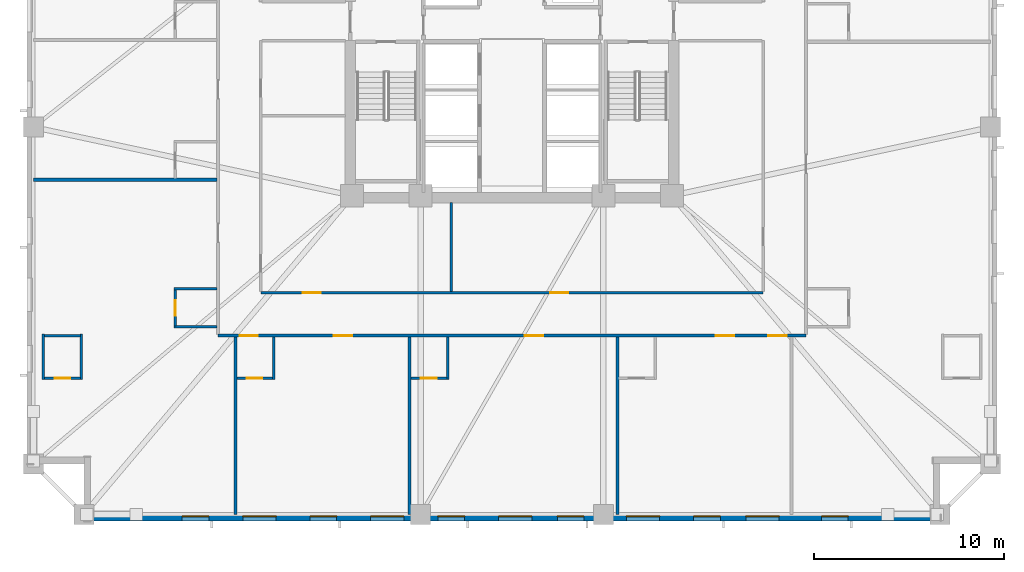
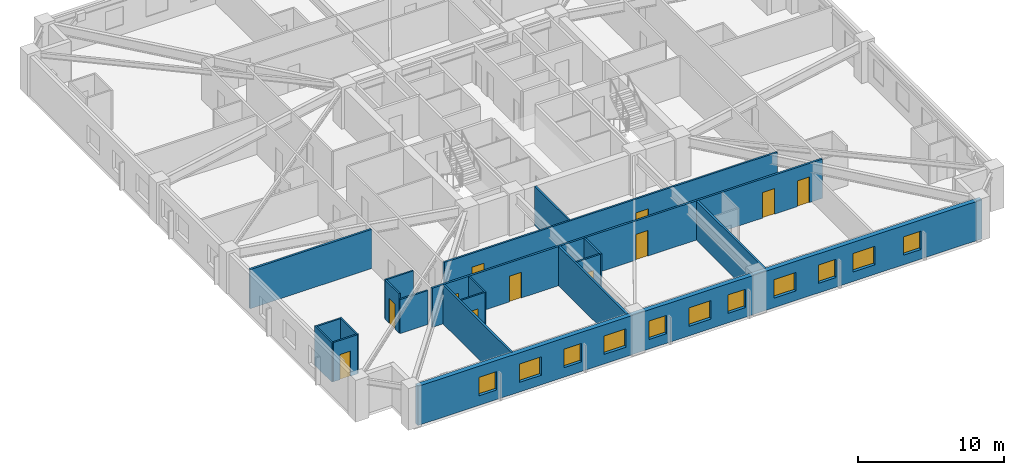
# One storey, part 2 of 11: 19 walls, 11 doors, 11 windows, 22 openings.
"""IFC4 building model written with IfcOpenShell, lengths in metres."""

import ifcopenshell
import ifcopenshell.guid

model = None  # the IFC model being written
_history = None  # IfcOwnerHistory: only IFC2X3 demands one
_inside = {}  # id of a spatial element -> (the spatial element, [elements in it])
_under = {}  # id of a project, library or spatial element -> (it, [spatial elements below it])
_declared = {}  # id of a project -> (the project, [libraries it declares])
_typed = {}  # id of a type object -> (the type object, [elements of that type])
_made_of = {}  # id of a material, layer set ... -> (it, [elements and type objects made of it])


def new_model(schema):
    """Start an empty IFC model of exactly this schema.

    Asked for "IFC4X3", IfcOpenShell would pick the latest addendum, in which some entities
    have other attributes; the version numbers below select the first issue.
    IFC2X3 requires an IfcOwnerHistory on every rooted entity: one is made here for all.
    """
    global model, _history
    if schema == "IFC4X3":
        model = ifcopenshell.file(schema_version=(4, 3, 0, 0))
    else:
        model = ifcopenshell.file(schema=schema)
    _inside.clear()
    _under.clear()
    _declared.clear()
    _typed.clear()
    _made_of.clear()
    _history = None
    if model.schema == "IFC2X3":
        org = make("IfcOrganization", Name="unknown")
        user = make(
            "IfcPersonAndOrganization",
            ThePerson=make("IfcPerson", FamilyName="unknown"),
            TheOrganization=org,
        )
        app = make(
            "IfcApplication",
            ApplicationDeveloper=org,
            Version="unknown",
            ApplicationFullName="unknown",
            ApplicationIdentifier="unknown",
        )
        _history = make(
            "IfcOwnerHistory",
            OwningUser=user,
            OwningApplication=app,
            ChangeAction="ADDED",
            CreationDate=0,
        )
    return model


def make(cls, **values):
    """One entity of the class cls with the attributes given. An attribute that is None is left unset."""
    return model.create_entity(
        cls, **{name: value for name, value in values.items() if value is not None}
    )


def rooted(cls, **values):
    """An entity with a GlobalId (a new one), such as an element, a storey or a relation."""
    return make(cls, GlobalId=ifcopenshell.guid.new(), OwnerHistory=_history, **values)


def si_unit(unit_type, name, prefix=None):
    """IfcSIUnit, for example si_unit("LENGTHUNIT", "METRE", prefix="MILLI")."""
    return make("IfcSIUnit", UnitType=unit_type, Prefix=prefix, Name=name)


def assignment(units):
    """IfcUnitAssignment: the units of a project."""
    return None if units is None else make("IfcUnitAssignment", Units=units)


def point(xyz):
    """IfcCartesianPoint."""
    return None if xyz is None else make("IfcCartesianPoint", Coordinates=xyz)


def direction(xyz):
    """IfcDirection."""
    return None if xyz is None else make("IfcDirection", DirectionRatios=xyz)


def frame(location, z_axis=None, x_axis=None):
    """IfcAxis2Placement3D, a coordinate frame: its origin and axes. An axis left out is left unset."""
    return make(
        "IfcAxis2Placement3D",
        Location=point(location),
        Axis=direction(z_axis),
        RefDirection=direction(x_axis),
    )


def frame_2d(location, x_axis=None):
    """IfcAxis2Placement2D, a coordinate frame in the plane: its origin and x axis."""
    return make(
        "IfcAxis2Placement2D", Location=point(location), RefDirection=direction(x_axis)
    )


def origin():
    """The frame at (0, 0, 0) with its axes left unset."""
    return frame((0.0, 0.0, 0.0))


def place(relative_to, where):
    """IfcLocalPlacement: puts the frame where relative to a parent placement (None: the world)."""
    return make(
        "IfcLocalPlacement", PlacementRelTo=relative_to, RelativePlacement=where
    )


def context(
    kind, dimensions, precision=None, world=None, true_north=None, identifier=None
):
    """IfcGeometricRepresentationContext, for example the 3D "Model" context."""
    return make(
        "IfcGeometricRepresentationContext",
        ContextIdentifier=identifier,
        ContextType=kind,
        CoordinateSpaceDimension=dimensions,
        Precision=precision,
        WorldCoordinateSystem=world,
        TrueNorth=true_north,
    )


def subcontext(parent, identifier, kind, view, scale=None):
    """IfcGeometricRepresentationSubContext, for example "Body" below "Model"."""
    return make(
        "IfcGeometricRepresentationSubContext",
        ContextIdentifier=identifier,
        ContextType=kind,
        ParentContext=parent,
        TargetScale=scale,
        TargetView=view,
    )


def project(units=None, contexts=None):
    """IfcProject with its units and contexts."""
    return rooted(
        "IfcProject",
        Name="project",
        RepresentationContexts=contexts,
        UnitsInContext=assignment(units),
    )


def spatial(cls, under=None, at=None, **own):
    """A site, building, storey or space (cls), placed at a placement, below another one or the project."""
    s = rooted(cls, ObjectPlacement=at, **own)
    if under is not None:
        _under.setdefault(under.id(), (under, []))[1].append(s)
    return s


def profile(cls, at=None, kind="AREA", **sizes):
    """A parametric profile (cls). Its sizes go by their IFC names, for example OverallWidth=200.0."""
    return make(cls, ProfileType=kind, Position=at, **sizes)


def rectangle(**sizes):
    """IfcRectangleProfileDef."""
    return profile("IfcRectangleProfileDef", **sizes)


def extrude(swept, where, along, depth):
    """IfcExtrudedAreaSolid: the profile swept, set in the frame where, extruded along a direction by depth."""
    return make(
        "IfcExtrudedAreaSolid",
        SweptArea=swept,
        Position=where,
        ExtrudedDirection=direction(along),
        Depth=depth,
    )


def shape(context_of_items, identifier, shape_type, items):
    """IfcShapeRepresentation: the items that make up one representation, for example the "Body"."""
    return make(
        "IfcShapeRepresentation",
        ContextOfItems=context_of_items,
        RepresentationIdentifier=identifier,
        RepresentationType=shape_type,
        Items=items,
    )


def material(Name=None, Category=None):
    """IfcMaterial."""
    return make("IfcMaterial", Name=Name, Category=Category)


def layer(
    of_material, thickness, ventilated=None, Name=None, Category=None, Priority=None
):
    """IfcMaterialLayer: one layer of a wall or slab, of a material (None: an air gap)."""
    return make(
        "IfcMaterialLayer",
        Material=of_material,
        LayerThickness=thickness,
        IsVentilated=ventilated,
        Name=Name,
        Category=Category,
        Priority=Priority,
    )


def layer_set(layers, Name=None):
    """IfcMaterialLayerSet."""
    return make("IfcMaterialLayerSet", MaterialLayers=layers, LayerSetName=Name)


def made_of(thing, what):
    """Note that an element or type object is made of a material, layer set ...; save() writes the relation."""
    if what is not None:
        _made_of.setdefault(what.id(), (what, []))[1].append(thing)
    return thing


def type_object(cls, material=None, **own):
    """A type object (cls), such as IfcWallType, which elements share."""
    return made_of(rooted(cls, **own), material)


def element(
    cls,
    number,
    at=None,
    inside=None,
    cuts=None,
    type_object=None,
    material=None,
    context=None,
    identifier="Body",
    shape_type=None,
    held_by="IfcProductDefinitionShape",
    body=None,
    shapes=None,
    **own,
):
    """One element of the class cls, such as IfcWall. Its Tag is "e" and its number.

    at: its placement. inside: the storey or other place that contains it. cuts: it is an
    opening in that element (IfcRelVoidsElement). A single representation is given by context,
    identifier, shape_type and body (its items); several are given by shapes. held_by: the class
    of the entity that holds the representations. save() writes the other relations.
    """
    e = rooted(cls, Tag="e%d" % number, ObjectPlacement=at, **own)
    if body is not None:
        shapes = [shape(context, identifier, shape_type, body)]
    if shapes is not None:
        e.Representation = make(held_by, Representations=shapes)
    if inside is not None:
        _inside.setdefault(inside.id(), (inside, []))[1].append(e)
    if cuts is not None:
        rooted(
            "IfcRelVoidsElement", RelatingBuildingElement=cuts, RelatedOpeningElement=e
        )
    if type_object is not None:
        _typed.setdefault(type_object.id(), (type_object, []))[1].append(e)
    return made_of(e, material)


def fill(opening, filler):
    """IfcRelFillsElement: the door or window that sits in an opening."""
    return rooted(
        "IfcRelFillsElement",
        RelatingOpeningElement=opening,
        RelatedBuildingElement=filler,
    )


def aggregate(whole, parts):
    """IfcRelAggregates: a whole, such as a stair, and the parts it consists of."""
    return rooted("IfcRelAggregates", RelatingObject=whole, RelatedObjects=parts)


def save(model, path):
    """Write the relations noted so far, then the file.

    IfcRelAggregates (storeys below a building ...), IfcRelContainedInSpatialStructure (elements
    in a storey), IfcRelDefinesByType, IfcRelAssociatesMaterial and IfcRelDeclares: one each for
    every whole, place, type object, material and project.
    """
    for whole, parts in _under.values():
        aggregate(whole, parts)
    for where, things in _inside.values():
        rooted(
            "IfcRelContainedInSpatialStructure",
            RelatedElements=things,
            RelatingStructure=where,
        )
    for kind, things in _typed.values():
        rooted("IfcRelDefinesByType", RelatedObjects=things, RelatingType=kind)
    for what, things in _made_of.values():
        rooted("IfcRelAssociatesMaterial", RelatedObjects=things, RelatingMaterial=what)
    for by, libraries in _declared.values():
        rooted("IfcRelDeclares", RelatingContext=by, RelatedDefinitions=libraries)
    model.write(path)


model = new_model("IFC4")

# Units and contexts
model_context = context("Model", 3, precision=1e-05, world=origin(), true_north=direction((0.0, 1.0)))
body_context = subcontext(model_context, "Body", "Model", "MODEL_VIEW")
ifc_project = project(units=[si_unit("LENGTHUNIT", "METRE"), si_unit("AREAUNIT", "SQUARE_METRE"), si_unit("VOLUMEUNIT", "CUBIC_METRE"), si_unit("PLANEANGLEUNIT", "RADIAN"), si_unit("MASSUNIT", "GRAM", prefix="KILO")], contexts=[model_context])

# Site, building, storey
site_placement = place(None, origin())
site = spatial("IfcSite", under=ifc_project, at=site_placement, CompositionType="ELEMENT")
building_placement = place(site_placement, origin())
building = spatial("IfcBuilding", under=site, at=building_placement, Name="Cairnveth Concourse Tower", CompositionType="ELEMENT")
storey_placement = place(building_placement, frame((0.0, 0.0, 76.0)))
storey = spatial("IfcBuildingStorey", under=building, at=storey_placement, Name="L20", CompositionType="ELEMENT", Elevation=76.0)

# Wall, openings, doors
ifc_material_1 = material(Name="Gypsum Plasterboard Partition", Category="gypsum")
ifc_layer_1 = layer(ifc_material_1, 0.159912109375)
ifc_layer_set_1 = layer_set([ifc_layer_1], Name="Gypsum Plasterboard Partition")
wall_type_1 = type_object("IfcWallType", Name="ACOUSTIC PARTY WALL 180", PredefinedType="PARTITIONING", material=ifc_layer_set_1)
wall_1_placement = place(storey_placement, frame((36.550048828125, 23.25, 0.0), z_axis=(0.0, 0.0, 1.0), x_axis=(1.0, 0.0, 0.0)))
wall_1 = element("IfcWall", 1, at=wall_1_placement, inside=storey, type_object=wall_type_1, Name="Interior Wall IW-L20-038", PredefinedType="PARTITIONING", context=body_context, shape_type="SweptSolid", body=[
    extrude(rectangle(XDim=30.89990234375, YDim=0.159912109375, at=frame_2d((15.449951171875, 0.0))), origin(), (0.0, 0.0, 1.0), 3.280029296875),
])
opening_1_placement = place(wall_1_placement, frame((1.1298828125, 0.0, 0.0)))
opening_1 = element("IfcOpeningElement", 2, at=opening_1_placement, cuts=wall_1, Name="Opening ID09", PredefinedType="OPENING", context=body_context, shape_type="SweptSolid", body=[
    extrude(rectangle(XDim=0.9599609375, YDim=2.14990234375, at=frame_2d((0.47998046875, 1.074951171875))), frame((0.0, 0.08984375, 0.0), z_axis=(0.0, -1.0, 0.0), x_axis=(1.0, 0.0, 0.0)), (0.0, 0.0, 1.0), 0.179931640625),
])
opening_2_placement = place(wall_1_placement, frame((6.093017578125, 0.0, 0.0)))
opening_2 = element("IfcOpeningElement", 3, at=opening_2_placement, cuts=wall_1, Name="Opening ID09", PredefinedType="OPENING", context=body_context, shape_type="SweptSolid", body=[
    extrude(rectangle(XDim=0.9599609375, YDim=2.14990234375, at=frame_2d((0.47998046875, 1.074951171875))), frame((0.0, 0.08984375, 0.0), z_axis=(0.0, -1.0, 0.0), x_axis=(1.0, 0.0, 0.0)), (0.0, 0.0, 1.0), 0.179931640625),
])
opening_3_placement = place(wall_1_placement, frame((16.125, 0.0, 0.0)))
opening_3 = element("IfcOpeningElement", 4, at=opening_3_placement, cuts=wall_1, Name="Opening ID09", PredefinedType="OPENING", context=body_context, shape_type="SweptSolid", body=[
    extrude(rectangle(XDim=0.9599609375, YDim=2.14990234375, at=frame_2d((0.47998046875, 1.074951171875))), frame((0.0, 0.08984375, 0.0), z_axis=(0.0, -1.0, 0.0), x_axis=(1.0, 0.0, 0.0)), (0.0, 0.0, 1.0), 0.179931640625),
])
opening_4_placement = place(wall_1_placement, frame((26.156982421875, 0.0, 0.0)))
opening_4 = element("IfcOpeningElement", 5, at=opening_4_placement, cuts=wall_1, Name="Opening ID09", PredefinedType="OPENING", context=body_context, shape_type="SweptSolid", body=[
    extrude(rectangle(XDim=0.9599609375, YDim=2.14990234375, at=frame_2d((0.47998046875, 1.074951171875))), frame((0.0, 0.08984375, 0.0), z_axis=(0.0, -1.0, 0.0), x_axis=(1.0, 0.0, 0.0)), (0.0, 0.0, 1.0), 0.179931640625),
])
opening_5_placement = place(wall_1_placement, frame((28.919921875, 0.0, 0.0)))
opening_5 = element("IfcOpeningElement", 6, at=opening_5_placement, cuts=wall_1, Name="Opening ID09", PredefinedType="OPENING", context=body_context, shape_type="SweptSolid", body=[
    extrude(rectangle(XDim=0.9599609375, YDim=2.14990234375, at=frame_2d((0.47998046875, 1.074951171875))), frame((0.0, 0.08984375, 0.0), z_axis=(0.0, -1.0, 0.0), x_axis=(1.0, 0.0, 0.0)), (0.0, 0.0, 1.0), 0.179931640625),
])
ifc_material_2 = material(Name="Solid Core Hardwood Timber Leaf", Category="wood")
door_type_1 = type_object("IfcDoorType", Name="HOTEL ENTRANCE DOOR 960X2150", OperationType="NOTDEFINED", PredefinedType="DOOR", material=ifc_material_2)
door_1_placement = place(opening_1_placement, origin())
door_1 = element("IfcDoor", 7, at=door_1_placement, inside=storey, type_object=door_type_1, Name="Hotel Room Door L20-S1", OperationType="SINGLE_SWING_RIGHT", OverallHeight=2.14990234375, OverallWidth=0.9599609375, PredefinedType="DOOR", context=body_context, shape_type="SweptSolid", body=[
    extrude(rectangle(XDim=0.9599609375, YDim=2.14990234375, at=frame_2d((0.47998046875, 1.074951171875))), frame((0.0, 0.02490234375, 0.0), z_axis=(0.0, -1.0, 0.0), x_axis=(1.0, 0.0, 0.0)), (0.0, 0.0, 1.0), 0.050048828125),
])
fill(opening_1, door_1)
door_2_placement = place(opening_2_placement, origin())
door_2 = element("IfcDoor", 8, at=door_2_placement, inside=storey, type_object=door_type_1, Name="Hotel Room Door L20-S2", OperationType="SINGLE_SWING_RIGHT", OverallHeight=2.14990234375, OverallWidth=0.9599609375, PredefinedType="DOOR", context=body_context, shape_type="SweptSolid", body=[
    extrude(rectangle(XDim=0.9599609375, YDim=2.14990234375, at=frame_2d((0.47998046875, 1.074951171875))), frame((0.0, 0.02490234375, 0.0), z_axis=(0.0, -1.0, 0.0), x_axis=(1.0, 0.0, 0.0)), (0.0, 0.0, 1.0), 0.050048828125),
])
fill(opening_2, door_2)
door_3_placement = place(opening_3_placement, origin())
door_3 = element("IfcDoor", 9, at=door_3_placement, inside=storey, type_object=door_type_1, Name="Hotel Room Door L20-S3", OperationType="SINGLE_SWING_RIGHT", OverallHeight=2.14990234375, OverallWidth=0.9599609375, PredefinedType="DOOR", context=body_context, shape_type="SweptSolid", body=[
    extrude(rectangle(XDim=0.9599609375, YDim=2.14990234375, at=frame_2d((0.47998046875, 1.074951171875))), frame((0.0, 0.02490234375, 0.0), z_axis=(0.0, -1.0, 0.0), x_axis=(1.0, 0.0, 0.0)), (0.0, 0.0, 1.0), 0.050048828125),
])
fill(opening_3, door_3)
door_4_placement = place(opening_4_placement, origin())
door_4 = element("IfcDoor", 10, at=door_4_placement, inside=storey, type_object=door_type_1, Name="Hotel Room Door L20-S4", OperationType="SINGLE_SWING_RIGHT", OverallHeight=2.14990234375, OverallWidth=0.9599609375, PredefinedType="DOOR", context=body_context, shape_type="SweptSolid", body=[
    extrude(rectangle(XDim=0.9599609375, YDim=2.14990234375, at=frame_2d((0.47998046875, 1.074951171875))), frame((0.0, 0.02490234375, 0.0), z_axis=(0.0, -1.0, 0.0), x_axis=(1.0, 0.0, 0.0)), (0.0, 0.0, 1.0), 0.050048828125),
])
fill(opening_4, door_4)
door_5_placement = place(opening_5_placement, origin())
door_5 = element("IfcDoor", 11, at=door_5_placement, inside=storey, type_object=door_type_1, Name="Hotel Room Door L20-S5", OperationType="SINGLE_SWING_RIGHT", OverallHeight=2.14990234375, OverallWidth=0.9599609375, PredefinedType="DOOR", context=body_context, shape_type="SweptSolid", body=[
    extrude(rectangle(XDim=0.9599609375, YDim=2.14990234375, at=frame_2d((0.47998046875, 1.074951171875))), frame((0.0, 0.02490234375, 0.0), z_axis=(0.0, -1.0, 0.0), x_axis=(1.0, 0.0, 0.0)), (0.0, 0.0, 1.0), 0.050048828125),
])
fill(opening_5, door_5)

# Walls
for number, where, z_axis, x_axis, name in (
    (12, (37.471923828125, 13.844970703125, 0.0), (0.0, 0.0, 1.0), (0.0, 1.0, 0.0), "Interior Wall IW-L20-059"),
    (13, (46.6240234375, 13.844970703125, 0.0), (0.0, 0.0, 1.0), (0.0, 1.0, 0.0), "Interior Wall IW-L20-062"),
    (14, (57.535888671875, 13.844970703125, 0.0), (0.0, 0.0, 1.0), (0.0, 1.0, 0.0), "Interior Wall IW-L20-065"),
):
    element("IfcWall", number, at=place(storey_placement, frame(where, z_axis=z_axis, x_axis=x_axis)), inside=storey, type_object=wall_type_1, Name=name, PredefinedType="PARTITIONING", context=body_context, shape_type="SweptSolid", body=[
        extrude(rectangle(XDim=9.340087890625, YDim=0.159912109375, at=frame_2d((4.669921875, 0.0))), origin(), (0.0, 0.0, 1.0), 3.280029296875),
    ])
wall_2_placement = place(storey_placement, frame((26.844970703125, 31.43701171875, 0.0), z_axis=(0.0, 0.0, 1.0), x_axis=(1.0, 0.0, 0.0)))
element("IfcWall", 15, at=wall_2_placement, inside=storey, type_object=wall_type_1, Name="Interior Wall IW-L20-086", PredefinedType="PARTITIONING", context=body_context, shape_type="SweptSolid", body=[
    extrude(rectangle(XDim=9.64013671875, YDim=0.159912109375, at=frame_2d((4.820068359375, 0.0))), origin(), (0.0, 0.0, 1.0), 3.280029296875),
])

# Wall, openings, doors
ifc_layer_2 = layer(ifc_material_1, 0.139892578125)
ifc_layer_set_2 = layer_set([ifc_layer_2], Name="Gypsum Plasterboard Partition")
wall_type_2 = type_object("IfcWallType", Name="GYPSUM STUD PARTITION 140", PredefinedType="PARTITIONING", material=ifc_layer_set_2)
wall_3_placement = place(storey_placement, frame((38.800048828125, 25.5, 0.0), z_axis=(0.0, 0.0, 1.0), x_axis=(1.0, 0.0, 0.0)))
wall_3 = element("IfcWall", 16, at=wall_3_placement, inside=storey, type_object=wall_type_2, Name="Interior Wall IW-L20-042", PredefinedType="PARTITIONING", context=body_context, shape_type="SweptSolid", body=[
    extrude(rectangle(XDim=26.39990234375, YDim=0.139892578125, at=frame_2d((13.199951171875, 0.0))), origin(), (0.0, 0.0, 1.0), 3.280029296875),
])
opening_6_placement = place(wall_3_placement, frame((2.199951171875, 0.0, 0.0)))
opening_6 = element("IfcOpeningElement", 17, at=opening_6_placement, cuts=wall_3, Name="Opening ID11", PredefinedType="OPENING", context=body_context, shape_type="SweptSolid", body=[
    extrude(rectangle(XDim=0.9599609375, YDim=2.1201171875, at=frame_2d((0.47998046875, 1.06005859375))), frame((0.0, 0.079833984375, 0.0), z_axis=(0.0, -1.0, 0.0), x_axis=(1.0, 0.0, 0.0)), (0.0, 0.0, 1.0), 0.159912109375),
])
opening_7_placement = place(wall_3_placement, frame((15.199951171875, 0.0, 0.0)))
opening_7 = element("IfcOpeningElement", 18, at=opening_7_placement, cuts=wall_3, Name="Opening ID11", PredefinedType="OPENING", context=body_context, shape_type="SweptSolid", body=[
    extrude(rectangle(XDim=0.9599609375, YDim=2.1201171875, at=frame_2d((0.47998046875, 1.06005859375))), frame((0.0, 0.079833984375, 0.0), z_axis=(0.0, -1.0, 0.0), x_axis=(1.0, 0.0, 0.0)), (0.0, 0.0, 1.0), 0.159912109375),
])
door_type_2 = type_object("IfcDoorType", Name="INTERIOR SINGLE DOOR 960X2150", OperationType="NOTDEFINED", PredefinedType="DOOR", material=ifc_material_2)
door_6_placement = place(opening_6_placement, origin())
door_6 = element("IfcDoor", 19, at=door_6_placement, inside=storey, type_object=door_type_2, Name="Interior Door DR-L20-014", OperationType="SINGLE_SWING_RIGHT", OverallHeight=2.1201171875, OverallWidth=0.9599609375, PredefinedType="DOOR", context=body_context, shape_type="SweptSolid", body=[
    extrude(rectangle(XDim=0.9599609375, YDim=2.1201171875, at=frame_2d((0.47998046875, 1.06005859375))), frame((0.0, 0.02490234375, 0.0), z_axis=(0.0, -1.0, 0.0), x_axis=(1.0, 0.0, 0.0)), (0.0, 0.0, 1.0), 0.050048828125),
])
fill(opening_6, door_6)
door_7_placement = place(opening_7_placement, origin())
door_7 = element("IfcDoor", 20, at=door_7_placement, inside=storey, type_object=door_type_2, Name="Interior Door DR-L20-015", OperationType="SINGLE_SWING_LEFT", OverallHeight=2.1201171875, OverallWidth=0.9599609375, PredefinedType="DOOR", context=body_context, shape_type="SweptSolid", body=[
    extrude(rectangle(XDim=0.9599609375, YDim=2.1201171875, at=frame_2d((0.47998046875, 1.06005859375))), frame((0.0, 0.02490234375, 0.0), z_axis=(0.0, -1.0, 0.0), x_axis=(1.0, 0.0, 0.0)), (0.0, 0.0, 1.0), 0.050048828125),
])
fill(opening_7, door_7)

# Walls
wall_4_placement = place(storey_placement, frame((48.800048828125, 25.554931640625, 0.0), z_axis=(0.0, 0.0, 1.0), x_axis=(0.0, 1.0, 0.0)))
element("IfcWall", 21, at=wall_4_placement, inside=storey, type_object=wall_type_2, Name="Interior Wall IW-L20-052", PredefinedType="PARTITIONING", context=body_context, shape_type="SweptSolid", body=[
    extrude(rectangle(XDim=4.68505859375, YDim=0.139892578125, at=frame_2d((2.342529296875, 0.0))), origin(), (0.0, 0.0, 1.0), 3.280029296875),
])
ifc_layer_3 = layer(ifc_material_1, 0.1298828125)
ifc_layer_set_3 = layer_set([ifc_layer_3], Name="Gypsum Plasterboard Partition")
wall_type_3 = type_object("IfcWallType", Name="WET AREA PARTITION 140", PredefinedType="PLUMBINGWALL", material=ifc_layer_set_3)
for number, where, z_axis, x_axis, name in (
    (22, (27.3701171875, 20.949951171875, 0.0), (0.0, 0.0, 1.0), (0.0, 1.0, 0.0), "Interior Wall IW-L20-055"),
    (23, (29.3701171875, 20.949951171875, 0.0), (0.0, 0.0, 1.0), (0.0, 1.0, 0.0), "Interior Wall IW-L20-056"),
):
    element("IfcWall", number, at=place(storey_placement, frame(where, z_axis=z_axis, x_axis=x_axis)), inside=storey, type_object=wall_type_3, Name=name, PredefinedType="PLUMBINGWALL", context=body_context, shape_type="SweptSolid", body=[
        extrude(rectangle(XDim=2.380126953125, YDim=0.1298828125, at=frame_2d((1.18994140625, 0.0))), origin(), (0.0, 0.0, 1.0), 3.280029296875),
    ])

# Wall, opening, door
wall_5_placement = place(storey_placement, frame((27.419921875, 21.0, 0.0), z_axis=(0.0, 0.0, 1.0), x_axis=(1.0, 0.0, 0.0)))
wall_5 = element("IfcWall", 24, at=wall_5_placement, inside=storey, type_object=wall_type_3, Name="Interior Wall IW-L20-057", PredefinedType="PLUMBINGWALL", context=body_context, shape_type="SweptSolid", body=[
    extrude(rectangle(XDim=1.900146484375, YDim=0.1298828125, at=frame_2d((0.9501953125, 0.0))), origin(), (0.0, 0.0, 1.0), 3.280029296875),
])
opening_8_placement = place(wall_5_placement, frame((0.5400390625, 0.0, 0.0)))
opening_8 = element("IfcOpeningElement", 25, at=opening_8_placement, cuts=wall_5, Name="Opening ID22", PredefinedType="OPENING", context=body_context, shape_type="SweptSolid", body=[
    extrude(rectangle(XDim=0.820068359375, YDim=2.10009765625, at=frame_2d((0.41015625, 1.050048828125))), frame((0.0, 0.074951171875, 0.0), z_axis=(0.0, -1.0, 0.0), x_axis=(1.0, 0.0, 0.0)), (0.0, 0.0, 1.0), 0.14990234375),
])
door_type_3 = type_object("IfcDoorType", Name="INTERIOR WC DOOR 820X2100", OperationType="NOTDEFINED", PredefinedType="DOOR", material=ifc_material_2)
door_8_placement = place(opening_8_placement, origin())
door_8 = element("IfcDoor", 26, at=door_8_placement, inside=storey, type_object=door_type_3, Name="En-Suite Door L20-S1", OperationType="SINGLE_SWING_LEFT", OverallHeight=2.10009765625, OverallWidth=0.820068359375, PredefinedType="DOOR", context=body_context, shape_type="SweptSolid", body=[
    extrude(rectangle(XDim=0.820068359375, YDim=2.10009765625, at=frame_2d((0.41015625, 1.050048828125))), frame((0.0, 0.02490234375, 0.0), z_axis=(0.0, -1.0, 0.0), x_axis=(1.0, 0.0, 0.0)), (0.0, 0.0, 1.0), 0.050048828125),
])
fill(opening_8, door_8)

# Walls
wall_6_placement = place(storey_placement, frame((27.419921875, 23.25, 0.0), z_axis=(0.0, 0.0, 1.0), x_axis=(1.0, 0.0, 0.0)))
element("IfcWall", 27, at=wall_6_placement, inside=storey, type_object=wall_type_3, Name="Interior Wall IW-L20-058", PredefinedType="PLUMBINGWALL", context=body_context, shape_type="SweptSolid", body=[
    extrude(rectangle(XDim=1.900146484375, YDim=0.1298828125, at=frame_2d((0.9501953125, 0.0))), origin(), (0.0, 0.0, 1.0), 3.280029296875),
])
wall_7_placement = place(storey_placement, frame((39.471923828125, 20.949951171875, 0.0), z_axis=(0.0, 0.0, 1.0), x_axis=(0.0, 1.0, 0.0)))
element("IfcWall", 28, at=wall_7_placement, inside=storey, type_object=wall_type_3, Name="Interior Wall IW-L20-060", PredefinedType="PLUMBINGWALL", context=body_context, shape_type="SweptSolid", body=[
    extrude(rectangle(XDim=2.235107421875, YDim=0.1298828125, at=frame_2d((1.11767578125, 0.0))), origin(), (0.0, 0.0, 1.0), 3.280029296875),
])

# Wall, opening, door
wall_8_placement = place(storey_placement, frame((37.537109375, 21.0, 0.0), z_axis=(0.0, 0.0, 1.0), x_axis=(1.0, 0.0, 0.0)))
wall_8 = element("IfcWall", 29, at=wall_8_placement, inside=storey, type_object=wall_type_3, Name="Interior Wall IW-L20-061", PredefinedType="PLUMBINGWALL", context=body_context, shape_type="SweptSolid", body=[
    extrude(rectangle(XDim=1.885009765625, YDim=0.1298828125, at=frame_2d((0.9423828125, 0.0))), origin(), (0.0, 0.0, 1.0), 3.280029296875),
])
opening_9_placement = place(wall_8_placement, frame((0.52490234375, 0.0, 0.0)))
opening_9 = element("IfcOpeningElement", 30, at=opening_9_placement, cuts=wall_8, Name="Opening ID22", PredefinedType="OPENING", context=body_context, shape_type="SweptSolid", body=[
    extrude(rectangle(XDim=0.820068359375, YDim=2.10009765625, at=frame_2d((0.41015625, 1.050048828125))), frame((0.0, 0.074951171875, 0.0), z_axis=(0.0, -1.0, 0.0), x_axis=(1.0, 0.0, 0.0)), (0.0, 0.0, 1.0), 0.14990234375),
])
door_9_placement = place(opening_9_placement, origin())
door_9 = element("IfcDoor", 31, at=door_9_placement, inside=storey, type_object=door_type_3, Name="En-Suite Door L20-S2", OperationType="SINGLE_SWING_LEFT", OverallHeight=2.10009765625, OverallWidth=0.820068359375, PredefinedType="DOOR", context=body_context, shape_type="SweptSolid", body=[
    extrude(rectangle(XDim=0.820068359375, YDim=2.10009765625, at=frame_2d((0.41015625, 1.050048828125))), frame((0.0, 0.02490234375, 0.0), z_axis=(0.0, -1.0, 0.0), x_axis=(1.0, 0.0, 0.0)), (0.0, 0.0, 1.0), 0.050048828125),
])
fill(opening_9, door_9)

# Wall
wall_9_placement = place(storey_placement, frame((48.6240234375, 20.949951171875, 0.0), z_axis=(0.0, 0.0, 1.0), x_axis=(0.0, 1.0, 0.0)))
element("IfcWall", 32, at=wall_9_placement, inside=storey, type_object=wall_type_3, Name="Interior Wall IW-L20-063", PredefinedType="PLUMBINGWALL", context=body_context, shape_type="SweptSolid", body=[
    extrude(rectangle(XDim=2.235107421875, YDim=0.1298828125, at=frame_2d((1.11767578125, 0.0))), origin(), (0.0, 0.0, 1.0), 3.280029296875),
])

# Wall, opening, door
wall_10_placement = place(storey_placement, frame((46.68896484375, 21.0, 0.0), z_axis=(0.0, 0.0, 1.0), x_axis=(1.0, 0.0, 0.0)))
wall_10 = element("IfcWall", 33, at=wall_10_placement, inside=storey, type_object=wall_type_3, Name="Interior Wall IW-L20-064", PredefinedType="PLUMBINGWALL", context=body_context, shape_type="SweptSolid", body=[
    extrude(rectangle(XDim=1.885009765625, YDim=0.1298828125, at=frame_2d((0.9423828125, 0.0))), origin(), (0.0, 0.0, 1.0), 3.280029296875),
])
opening_10_placement = place(wall_10_placement, frame((0.52490234375, 0.0, 0.0)))
opening_10 = element("IfcOpeningElement", 34, at=opening_10_placement, cuts=wall_10, Name="Opening ID22", PredefinedType="OPENING", context=body_context, shape_type="SweptSolid", body=[
    extrude(rectangle(XDim=0.820068359375, YDim=2.10009765625, at=frame_2d((0.41015625, 1.050048828125))), frame((0.0, 0.074951171875, 0.0), z_axis=(0.0, -1.0, 0.0), x_axis=(1.0, 0.0, 0.0)), (0.0, 0.0, 1.0), 0.14990234375),
])
door_10_placement = place(opening_10_placement, origin())
door_10 = element("IfcDoor", 35, at=door_10_placement, inside=storey, type_object=door_type_3, Name="En-Suite Door L20-S3", OperationType="SINGLE_SWING_LEFT", OverallHeight=2.10009765625, OverallWidth=0.820068359375, PredefinedType="DOOR", context=body_context, shape_type="SweptSolid", body=[
    extrude(rectangle(XDim=0.820068359375, YDim=2.10009765625, at=frame_2d((0.41015625, 1.050048828125))), frame((0.0, 0.02490234375, 0.0), z_axis=(0.0, -1.0, 0.0), x_axis=(1.0, 0.0, 0.0)), (0.0, 0.0, 1.0), 0.050048828125),
])
fill(opening_10, door_10)

# Walls
wall_11_placement = place(storey_placement, frame((34.25, 23.699951171875, 0.0), z_axis=(0.0, 0.0, 1.0), x_axis=(1.0, 0.0, 0.0)))
element("IfcWall", 36, at=wall_11_placement, inside=storey, type_object=wall_type_3, Name="Interior Wall IW-L20-083", PredefinedType="PLUMBINGWALL", context=body_context, shape_type="SweptSolid", body=[
    extrude(rectangle(XDim=2.235107421875, YDim=0.1298828125, at=frame_2d((1.11767578125, 0.0))), origin(), (0.0, 0.0, 1.0), 2.84912109375),
])
wall_12_placement = place(storey_placement, frame((34.25, 25.699951171875, 0.0), z_axis=(0.0, 0.0, 1.0), x_axis=(1.0, 0.0, 0.0)))
element("IfcWall", 37, at=wall_12_placement, inside=storey, type_object=wall_type_3, Name="Interior Wall IW-L20-084", PredefinedType="PLUMBINGWALL", context=body_context, shape_type="SweptSolid", body=[
    extrude(rectangle(XDim=2.235107421875, YDim=0.1298828125, at=frame_2d((1.11767578125, 0.0))), origin(), (0.0, 0.0, 1.0), 3.280029296875),
])

# Wall, opening, door
wall_13_placement = place(storey_placement, frame((34.300048828125, 23.75, 0.0), z_axis=(0.0, 0.0, 1.0), x_axis=(0.0, 1.0, 0.0)))
wall_13 = element("IfcWall", 38, at=wall_13_placement, inside=storey, type_object=wall_type_3, Name="Interior Wall IW-L20-085", PredefinedType="PLUMBINGWALL", context=body_context, shape_type="SweptSolid", body=[
    extrude(rectangle(XDim=1.89990234375, YDim=0.1298828125, at=frame_2d((0.949951171875, 0.0))), origin(), (0.0, 0.0, 1.0), 3.280029296875),
])
opening_11_placement = place(wall_13_placement, frame((0.5400390625, 0.0, 0.0)))
opening_11 = element("IfcOpeningElement", 39, at=opening_11_placement, cuts=wall_13, Name="Opening ID22", PredefinedType="OPENING", context=body_context, shape_type="SweptSolid", body=[
    extrude(rectangle(XDim=0.820068359375, YDim=2.10009765625, at=frame_2d((0.41015625, 1.050048828125))), frame((0.0, 0.074951171875, 0.0), z_axis=(0.0, -1.0, 0.0), x_axis=(1.0, 0.0, 0.0)), (0.0, 0.0, 1.0), 0.14990234375),
])
door_11_placement = place(opening_11_placement, origin())
door_11 = element("IfcDoor", 40, at=door_11_placement, inside=storey, type_object=door_type_3, Name="En-Suite Door L20-W1", OperationType="SINGLE_SWING_LEFT", OverallHeight=2.10009765625, OverallWidth=0.820068359375, PredefinedType="DOOR", context=body_context, shape_type="SweptSolid", body=[
    extrude(rectangle(XDim=0.820068359375, YDim=2.10009765625, at=frame_2d((0.41015625, 1.050048828125))), frame((0.0, 0.02490234375, 0.0), z_axis=(0.0, -1.0, 0.0), x_axis=(1.0, 0.0, 0.0)), (0.0, 0.0, 1.0), 0.050048828125),
])
fill(opening_11, door_11)

# Wall, openings, windows
ifc_material_3 = material(Name="Hawthorn Red-Ochre Fired Clay Brick Masonry", Category="masonry")
ifc_layer_4 = layer(ifc_material_3, 0.360107421875)
ifc_layer_set_4 = layer_set([ifc_layer_4], Name="Hawthorn Red-Ochre Fired Clay Brick Masonry")
wall_type_4 = type_object("IfcWallType", Name="ZONE 1 BRICK PIER SPANDREL WALL 360", PredefinedType="SOLIDWALL", material=ifc_layer_set_4)
wall_14_placement = place(storey_placement, frame((74.5, 13.679931640625, 0.0), z_axis=(0.0, 0.0, 1.0), x_axis=(-1.0, 0.0, 0.0)))
wall_14 = element("IfcWall", 41, at=wall_14_placement, inside=storey, type_object=wall_type_4, Name="Exterior Wall EW-L20-S03", PredefinedType="SOLIDWALL", context=body_context, shape_type="SweptSolid", body=[
    extrude(rectangle(XDim=44.662109375, YDim=0.360107421875, at=frame_2d((22.3310546875, 0.0))), origin(), (0.0, 0.0, 1.0), 3.280029296875),
])
opening_12_placement = place(wall_14_placement, frame((4.830078125, 0.0, 0.800048828125)))
opening_12 = element("IfcOpeningElement", 42, at=opening_12_placement, cuts=wall_14, Name="Opening W05", PredefinedType="OPENING", context=body_context, shape_type="SweptSolid", body=[
    extrude(rectangle(XDim=1.39990234375, YDim=1.5439453125, at=frame_2d((0.699951171875, 0.77197265625))), frame((0.0, 0.18994140625, 0.0), z_axis=(0.0, -1.0, 0.0), x_axis=(1.0, 0.0, 0.0)), (0.0, 0.0, 1.0), 0.380126953125),
])
opening_13_placement = place(wall_14_placement, frame((8.46533203125, 0.0, 0.800048828125)))
opening_13 = element("IfcOpeningElement", 43, at=opening_13_placement, cuts=wall_14, Name="Opening W06", PredefinedType="OPENING", context=body_context, shape_type="SweptSolid", body=[
    extrude(rectangle(XDim=1.75, YDim=1.5439453125, at=frame_2d((0.875, 0.77197265625))), frame((0.0, 0.18994140625, 0.0), z_axis=(0.0, -1.0, 0.0), x_axis=(1.0, 0.0, 0.0)), (0.0, 0.0, 1.0), 0.380126953125),
])
opening_14_placement = place(wall_14_placement, frame((11.550537109375, 0.0, 0.800048828125)))
opening_14 = element("IfcOpeningElement", 44, at=opening_14_placement, cuts=wall_14, Name="Opening W05", PredefinedType="OPENING", context=body_context, shape_type="SweptSolid", body=[
    extrude(rectangle(XDim=1.39990234375, YDim=1.5439453125, at=frame_2d((0.699951171875, 0.77197265625))), frame((0.0, 0.18994140625, 0.0), z_axis=(0.0, -1.0, 0.0), x_axis=(1.0, 0.0, 0.0)), (0.0, 0.0, 1.0), 0.380126953125),
])
opening_15_placement = place(wall_14_placement, frame((14.735595703125, 0.0, 0.800048828125)))
opening_15 = element("IfcOpeningElement", 45, at=opening_15_placement, cuts=wall_14, Name="Opening W06", PredefinedType="OPENING", context=body_context, shape_type="SweptSolid", body=[
    extrude(rectangle(XDim=1.75, YDim=1.5439453125, at=frame_2d((0.875, 0.77197265625))), frame((0.0, 0.18994140625, 0.0), z_axis=(0.0, -1.0, 0.0), x_axis=(1.0, 0.0, 0.0)), (0.0, 0.0, 1.0), 0.380126953125),
])
opening_16_placement = place(wall_14_placement, frame((18.720703125, 0.0, 0.800048828125)))
opening_16 = element("IfcOpeningElement", 46, at=opening_16_placement, cuts=wall_14, Name="Opening W05", PredefinedType="OPENING", context=body_context, shape_type="SweptSolid", body=[
    extrude(rectangle(XDim=1.39990234375, YDim=1.5439453125, at=frame_2d((0.699951171875, 0.77197265625))), frame((0.0, 0.18994140625, 0.0), z_axis=(0.0, -1.0, 0.0), x_axis=(1.0, 0.0, 0.0)), (0.0, 0.0, 1.0), 0.380126953125),
])
opening_17_placement = place(wall_14_placement, frame((21.4560546875, 0.0, 0.800048828125)))
opening_17 = element("IfcOpeningElement", 47, at=opening_17_placement, cuts=wall_14, Name="Opening W06", PredefinedType="OPENING", context=body_context, shape_type="SweptSolid", body=[
    extrude(rectangle(XDim=1.75, YDim=1.5439453125, at=frame_2d((0.875, 0.77197265625))), frame((0.0, 0.18994140625, 0.0), z_axis=(0.0, -1.0, 0.0), x_axis=(1.0, 0.0, 0.0)), (0.0, 0.0, 1.0), 0.380126953125),
])
opening_18_placement = place(wall_14_placement, frame((24.9912109375, 0.0, 0.800048828125)))
opening_18 = element("IfcOpeningElement", 48, at=opening_18_placement, cuts=wall_14, Name="Opening W05", PredefinedType="OPENING", context=body_context, shape_type="SweptSolid", body=[
    extrude(rectangle(XDim=1.39990234375, YDim=1.5439453125, at=frame_2d((0.699951171875, 0.77197265625))), frame((0.0, 0.18994140625, 0.0), z_axis=(0.0, -1.0, 0.0), x_axis=(1.0, 0.0, 0.0)), (0.0, 0.0, 1.0), 0.380126953125),
])
opening_19_placement = place(wall_14_placement, frame((28.176513671875, 0.0, 0.800048828125)))
opening_19 = element("IfcOpeningElement", 49, at=opening_19_placement, cuts=wall_14, Name="Opening W06", PredefinedType="OPENING", context=body_context, shape_type="SweptSolid", body=[
    extrude(rectangle(XDim=1.75, YDim=1.5439453125, at=frame_2d((0.875, 0.77197265625))), frame((0.0, 0.18994140625, 0.0), z_axis=(0.0, -1.0, 0.0), x_axis=(1.0, 0.0, 0.0)), (0.0, 0.0, 1.0), 0.380126953125),
])
opening_20_placement = place(wall_14_placement, frame((31.71142578125, 0.0, 0.800048828125)))
opening_20 = element("IfcOpeningElement", 50, at=opening_20_placement, cuts=wall_14, Name="Opening W05", PredefinedType="OPENING", context=body_context, shape_type="SweptSolid", body=[
    extrude(rectangle(XDim=1.39990234375, YDim=1.5439453125, at=frame_2d((0.699951171875, 0.77197265625))), frame((0.0, 0.18994140625, 0.0), z_axis=(0.0, -1.0, 0.0), x_axis=(1.0, 0.0, 0.0)), (0.0, 0.0, 1.0), 0.380126953125),
])
opening_21_placement = place(wall_14_placement, frame((34.896728515625, 0.0, 0.800048828125)))
opening_21 = element("IfcOpeningElement", 51, at=opening_21_placement, cuts=wall_14, Name="Opening W06", PredefinedType="OPENING", context=body_context, shape_type="SweptSolid", body=[
    extrude(rectangle(XDim=1.75, YDim=1.5439453125, at=frame_2d((0.875, 0.77197265625))), frame((0.0, 0.18994140625, 0.0), z_axis=(0.0, -1.0, 0.0), x_axis=(1.0, 0.0, 0.0)), (0.0, 0.0, 1.0), 0.380126953125),
])
opening_22_placement = place(wall_14_placement, frame((38.431884765625, 0.0, 0.800048828125)))
opening_22 = element("IfcOpeningElement", 52, at=opening_22_placement, cuts=wall_14, Name="Opening W05", PredefinedType="OPENING", context=body_context, shape_type="SweptSolid", body=[
    extrude(rectangle(XDim=1.39990234375, YDim=1.5439453125, at=frame_2d((0.699951171875, 0.77197265625))), frame((0.0, 0.18994140625, 0.0), z_axis=(0.0, -1.0, 0.0), x_axis=(1.0, 0.0, 0.0)), (0.0, 0.0, 1.0), 0.380126953125),
])
ifc_material_4 = material(Name="Double Glazed Low-E Clear Glass", Category="glass")
window_type_1 = type_object("IfcWindowType", Name="DEEP-SET HOTEL CASEMENT WINDOW 1400X1750", PartitioningType="DOUBLE_PANEL_VERTICAL", PredefinedType="WINDOW", material=ifc_material_4)
window_1_placement = place(opening_12_placement, origin())
window_1 = element("IfcWindow", 53, at=window_1_placement, inside=storey, type_object=window_type_1, Name="Gothic Lancet Window L20-3-1", OverallHeight=1.5439453125, OverallWidth=1.39990234375, PartitioningType="SINGLE_PANEL", PredefinedType="WINDOW", context=body_context, shape_type="SweptSolid", body=[
    extrude(rectangle(XDim=1.39990234375, YDim=1.5439453125, at=frame_2d((0.699951171875, 0.77197265625))), frame((0.0, -0.050048828125, 0.0), z_axis=(0.0, -1.0, 0.0), x_axis=(1.0, 0.0, 0.0)), (0.0, 0.0, 1.0), 0.06005859375),
])
fill(opening_12, window_1)
window_2_placement = place(opening_14_placement, origin())
window_2 = element("IfcWindow", 54, at=window_2_placement, inside=storey, type_object=window_type_1, Name="Gothic Lancet Window L20-3-3", OverallHeight=1.5439453125, OverallWidth=1.39990234375, PartitioningType="SINGLE_PANEL", PredefinedType="WINDOW", context=body_context, shape_type="SweptSolid", body=[
    extrude(rectangle(XDim=1.39990234375, YDim=1.5439453125, at=frame_2d((0.699951171875, 0.77197265625))), frame((0.0, -0.050048828125, 0.0), z_axis=(0.0, -1.0, 0.0), x_axis=(1.0, 0.0, 0.0)), (0.0, 0.0, 1.0), 0.06005859375),
])
fill(opening_14, window_2)
window_3_placement = place(opening_16_placement, origin())
window_3 = element("IfcWindow", 55, at=window_3_placement, inside=storey, type_object=window_type_1, Name="Gothic Lancet Window L20-3-5", OverallHeight=1.5439453125, OverallWidth=1.39990234375, PartitioningType="SINGLE_PANEL", PredefinedType="WINDOW", context=body_context, shape_type="SweptSolid", body=[
    extrude(rectangle(XDim=1.39990234375, YDim=1.5439453125, at=frame_2d((0.699951171875, 0.77197265625))), frame((0.0, -0.050048828125, 0.0), z_axis=(0.0, -1.0, 0.0), x_axis=(1.0, 0.0, 0.0)), (0.0, 0.0, 1.0), 0.06005859375),
])
fill(opening_16, window_3)
window_4_placement = place(opening_18_placement, origin())
window_4 = element("IfcWindow", 56, at=window_4_placement, inside=storey, type_object=window_type_1, Name="Gothic Lancet Window L20-3-7", OverallHeight=1.5439453125, OverallWidth=1.39990234375, PartitioningType="SINGLE_PANEL", PredefinedType="WINDOW", context=body_context, shape_type="SweptSolid", body=[
    extrude(rectangle(XDim=1.39990234375, YDim=1.5439453125, at=frame_2d((0.699951171875, 0.77197265625))), frame((0.0, -0.050048828125, 0.0), z_axis=(0.0, -1.0, 0.0), x_axis=(1.0, 0.0, 0.0)), (0.0, 0.0, 1.0), 0.06005859375),
])
fill(opening_18, window_4)
window_5_placement = place(opening_20_placement, origin())
window_5 = element("IfcWindow", 57, at=window_5_placement, inside=storey, type_object=window_type_1, Name="Gothic Lancet Window L20-3-9", OverallHeight=1.5439453125, OverallWidth=1.39990234375, PartitioningType="SINGLE_PANEL", PredefinedType="WINDOW", context=body_context, shape_type="SweptSolid", body=[
    extrude(rectangle(XDim=1.39990234375, YDim=1.5439453125, at=frame_2d((0.699951171875, 0.77197265625))), frame((0.0, -0.050048828125, 0.0), z_axis=(0.0, -1.0, 0.0), x_axis=(1.0, 0.0, 0.0)), (0.0, 0.0, 1.0), 0.06005859375),
])
fill(opening_20, window_5)
window_6_placement = place(opening_22_placement, origin())
window_6 = element("IfcWindow", 58, at=window_6_placement, inside=storey, type_object=window_type_1, Name="Gothic Lancet Window L20-3-11", OverallHeight=1.5439453125, OverallWidth=1.39990234375, PartitioningType="SINGLE_PANEL", PredefinedType="WINDOW", context=body_context, shape_type="SweptSolid", body=[
    extrude(rectangle(XDim=1.39990234375, YDim=1.5439453125, at=frame_2d((0.699951171875, 0.77197265625))), frame((0.0, -0.050048828125, 0.0), z_axis=(0.0, -1.0, 0.0), x_axis=(1.0, 0.0, 0.0)), (0.0, 0.0, 1.0), 0.06005859375),
])
fill(opening_22, window_6)
window_type_2 = type_object("IfcWindowType", Name="DEEP-SET HOTEL SUITE WINDOW 1750X1800", PartitioningType="DOUBLE_PANEL_VERTICAL", PredefinedType="WINDOW", material=ifc_material_4)
window_7_placement = place(opening_13_placement, origin())
window_7 = element("IfcWindow", 59, at=window_7_placement, inside=storey, type_object=window_type_2, Name="Gothic Lancet Window L20-3-2", OverallHeight=1.5439453125, OverallWidth=1.75, PartitioningType="SINGLE_PANEL", PredefinedType="WINDOW", context=body_context, shape_type="SweptSolid", body=[
    extrude(rectangle(XDim=1.75, YDim=1.5439453125, at=frame_2d((0.875, 0.77197265625))), frame((0.0, -0.050048828125, 0.0), z_axis=(0.0, -1.0, 0.0), x_axis=(1.0, 0.0, 0.0)), (0.0, 0.0, 1.0), 0.06005859375),
])
fill(opening_13, window_7)
window_8_placement = place(opening_15_placement, origin())
window_8 = element("IfcWindow", 60, at=window_8_placement, inside=storey, type_object=window_type_2, Name="Gothic Lancet Window L20-3-4", OverallHeight=1.5439453125, OverallWidth=1.75, PartitioningType="SINGLE_PANEL", PredefinedType="WINDOW", context=body_context, shape_type="SweptSolid", body=[
    extrude(rectangle(XDim=1.75, YDim=1.5439453125, at=frame_2d((0.875, 0.77197265625))), frame((0.0, -0.050048828125, 0.0), z_axis=(0.0, -1.0, 0.0), x_axis=(1.0, 0.0, 0.0)), (0.0, 0.0, 1.0), 0.06005859375),
])
fill(opening_15, window_8)
window_9_placement = place(opening_17_placement, origin())
window_9 = element("IfcWindow", 61, at=window_9_placement, inside=storey, type_object=window_type_2, Name="Gothic Lancet Window L20-3-6", OverallHeight=1.5439453125, OverallWidth=1.75, PartitioningType="SINGLE_PANEL", PredefinedType="WINDOW", context=body_context, shape_type="SweptSolid", body=[
    extrude(rectangle(XDim=1.75, YDim=1.5439453125, at=frame_2d((0.875, 0.77197265625))), frame((0.0, -0.050048828125, 0.0), z_axis=(0.0, -1.0, 0.0), x_axis=(1.0, 0.0, 0.0)), (0.0, 0.0, 1.0), 0.06005859375),
])
fill(opening_17, window_9)
window_10_placement = place(opening_19_placement, origin())
window_10 = element("IfcWindow", 62, at=window_10_placement, inside=storey, type_object=window_type_2, Name="Gothic Lancet Window L20-3-8", OverallHeight=1.5439453125, OverallWidth=1.75, PartitioningType="SINGLE_PANEL", PredefinedType="WINDOW", context=body_context, shape_type="SweptSolid", body=[
    extrude(rectangle(XDim=1.75, YDim=1.5439453125, at=frame_2d((0.875, 0.77197265625))), frame((0.0, -0.050048828125, 0.0), z_axis=(0.0, -1.0, 0.0), x_axis=(1.0, 0.0, 0.0)), (0.0, 0.0, 1.0), 0.06005859375),
])
fill(opening_19, window_10)
window_11_placement = place(opening_21_placement, origin())
window_11 = element("IfcWindow", 63, at=window_11_placement, inside=storey, type_object=window_type_2, Name="Gothic Lancet Window L20-3-10", OverallHeight=1.5439453125, OverallWidth=1.75, PartitioningType="SINGLE_PANEL", PredefinedType="WINDOW", context=body_context, shape_type="SweptSolid", body=[
    extrude(rectangle(XDim=1.75, YDim=1.5439453125, at=frame_2d((0.875, 0.77197265625))), frame((0.0, -0.050048828125, 0.0), z_axis=(0.0, -1.0, 0.0), x_axis=(1.0, 0.0, 0.0)), (0.0, 0.0, 1.0), 0.06005859375),
])
fill(opening_21, window_11)

save(model, "model.ifc")
